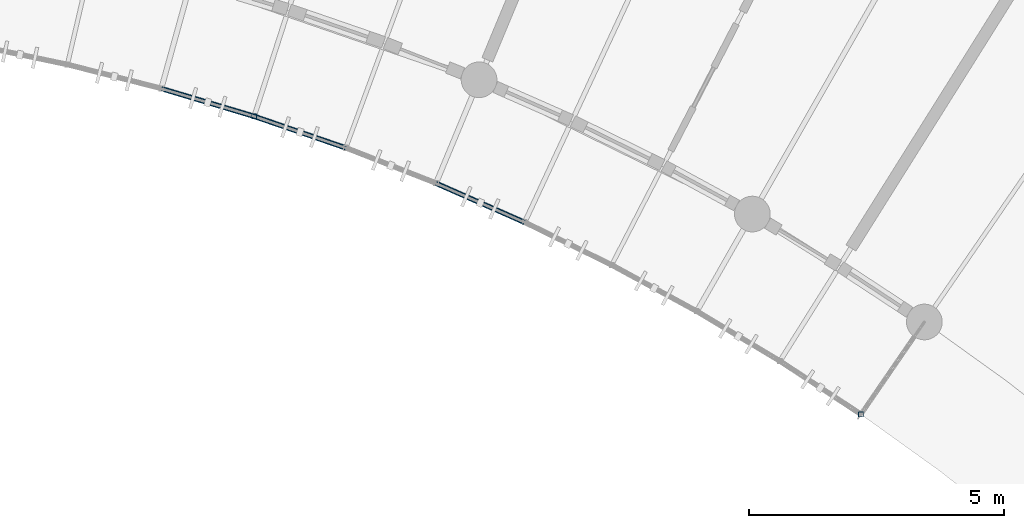
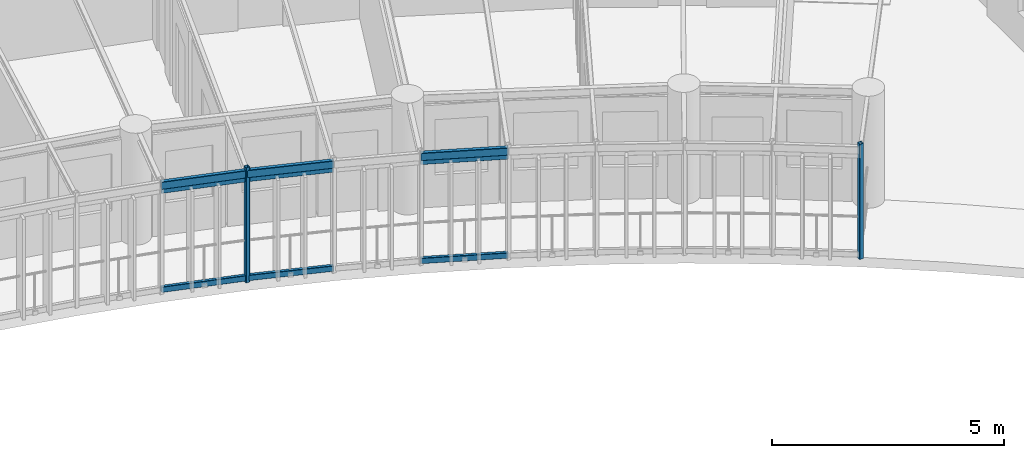
# One storey, part 63 of 137: 8 members, 3 beams.
"""IFC4 building model written with IfcOpenShell, lengths in metres."""

from ifc_helpers import new_model, si_unit, direction, frame, origin, origin_2d, place, context, subcontext, project, spatial, hollow_rectangle, extrude, material, material_profile, profile_set, type_object, element, save


model = new_model("IFC4")

# Units and contexts
model_context = context("Model", 3, precision=1e-05, world=origin(), true_north=direction((0.0, 1.0)))
body_context = subcontext(model_context, "Body", "Model", "MODEL_VIEW")
ifc_project = project(units=[si_unit("LENGTHUNIT", "METRE"), si_unit("AREAUNIT", "SQUARE_METRE"), si_unit("VOLUMEUNIT", "CUBIC_METRE"), si_unit("PLANEANGLEUNIT", "RADIAN"), si_unit("MASSUNIT", "GRAM", prefix="KILO"), si_unit("POWERUNIT", "WATT"), si_unit("THERMODYNAMICTEMPERATUREUNIT", "KELVIN")], contexts=[model_context])

# Site, building, storey
site_placement = place(None, origin())
site = spatial("IfcSite", under=ifc_project, at=site_placement, CompositionType="ELEMENT")
building_placement = place(site_placement, origin())
building = spatial("IfcBuilding", under=site, at=building_placement, Name="Ruvembo Vaulted Housing Court", CompositionType="ELEMENT")
storey_placement = place(building_placement, frame((0.0, 0.0, 4.5)))
storey = spatial("IfcBuildingStorey", under=building, at=storey_placement, Name="L01", CompositionType="ELEMENT", Elevation=4.5)

# Beams
ifc_material = material(Name="Steel S355J2", Category="steel")
ifc_material_profile_1 = material_profile(ifc_material, hollow_rectangle(XDim=0.10009765625, YDim=0.199951171875, WallThickness=0.008056640625, InnerFilletRadius=0.008056640625, OuterFilletRadius=0.01611328125, at=origin_2d()), Name="RHS 200x100x8")
ifc_profile_set_1 = profile_set([ifc_material_profile_1], Name="Steel S355J2")
beam_type = type_object("IfcBeamType", Name="BM-ST-RHS200", PredefinedType="SPANDREL", material=ifc_profile_set_1)
beam_1_placement = place(storey_placement, frame((129.208251953125, 94.142822265625, 2.840087890625), z_axis=(0.958108609181, -0.286405120439, 0.0), x_axis=(0.286405120439, 0.958108609181, 0.0)))
element("IfcBeam", 1, at=beam_1_placement, inside=storey, type_object=beam_type, Name="Scoop SC3 L01 Balcony Edge Spandrel 21", PredefinedType="SPANDREL", context=body_context, shape_type="SweptSolid", body=[
    extrude(hollow_rectangle(XDim=0.10009765625, YDim=0.199951171875, WallThickness=0.008056640625, InnerFilletRadius=0.008056640625, OuterFilletRadius=0.01611328125, at=origin_2d()), origin(), (0.0, 0.0, 1.0), 1.90087890625),
])
beam_2_placement = place(storey_placement, frame((131.029541015625, 93.598388671875, 2.840087890625), z_axis=(0.945357969834, -0.326034214264, 0.0), x_axis=(0.326034214264, 0.945357969834, 0.0)))
element("IfcBeam", 2, at=beam_2_placement, inside=storey, type_object=beam_type, Name="Scoop SC3 L01 Balcony Edge Spandrel 22", PredefinedType="SPANDREL", context=body_context, shape_type="SweptSolid", body=[
    extrude(hollow_rectangle(XDim=0.10009765625, YDim=0.199951171875, WallThickness=0.008056640625, InnerFilletRadius=0.008056640625, OuterFilletRadius=0.01611328125, at=origin_2d()), origin(), (0.0, 0.0, 1.0), 1.9013671875),
])
beam_3_placement = place(storey_placement, frame((134.5966796875, 92.28466796875, 2.840087890625), z_axis=(0.91507815309, -0.403276547467, 0.0), x_axis=(0.403276547467, 0.91507815309, 0.0)))
element("IfcBeam", 3, at=beam_3_placement, inside=storey, type_object=beam_type, Name="Scoop SC3 L01 Balcony Edge Spandrel 24", PredefinedType="SPANDREL", context=body_context, shape_type="SweptSolid", body=[
    extrude(hollow_rectangle(XDim=0.10009765625, YDim=0.199951171875, WallThickness=0.008056640625, InnerFilletRadius=0.008056640625, OuterFilletRadius=0.01611328125, at=origin_2d()), origin(), (0.0, 0.0, 1.0), 1.90087890625),
])

# Members
ifc_material_profile_2 = material_profile(ifc_material, hollow_rectangle(XDim=0.06005859375, YDim=0.1201171875, WallThickness=0.0048828125, InnerFilletRadius=0.0048828125, OuterFilletRadius=0.010009765625, at=origin_2d()), Name="RHS 120x60x5")
ifc_profile_set_2 = profile_set([ifc_material_profile_2], Name="Steel S355J2")
member_type_1 = type_object("IfcMemberType", Name="MEM-CAR-RHS120", PredefinedType="CHORD", material=ifc_profile_set_2)
member_1_placement = place(storey_placement, frame((129.208251953125, 94.142822265625, 2.68310546875), z_axis=(0.958108609181, -0.286405120439, 0.0), x_axis=(0.286405120439, 0.958108609181, 0.0)))
element("IfcMember", 4, at=member_1_placement, inside=storey, type_object=member_type_1, Name="Scoop SC3 L01 Upper Louvre Carrier Rail 21", PredefinedType="CHORD", context=body_context, shape_type="SweptSolid", body=[
    extrude(hollow_rectangle(XDim=0.06005859375, YDim=0.1201171875, WallThickness=0.0048828125, InnerFilletRadius=0.0048828125, OuterFilletRadius=0.010009765625, at=origin_2d()), origin(), (0.0, 0.0, 1.0), 1.90087890625),
])
member_2_placement = place(storey_placement, frame((131.029541015625, 93.598388671875, 2.68310546875), z_axis=(0.945357969834, -0.326034214264, 0.0), x_axis=(0.326034214264, 0.945357969834, 0.0)))
element("IfcMember", 5, at=member_2_placement, inside=storey, type_object=member_type_1, Name="Scoop SC3 L01 Upper Louvre Carrier Rail 22", PredefinedType="CHORD", context=body_context, shape_type="SweptSolid", body=[
    extrude(hollow_rectangle(XDim=0.06005859375, YDim=0.1201171875, WallThickness=0.0048828125, InnerFilletRadius=0.0048828125, OuterFilletRadius=0.010009765625, at=origin_2d()), origin(), (0.0, 0.0, 1.0), 1.9013671875),
])
member_3_placement = place(storey_placement, frame((134.5966796875, 92.28466796875, 2.68310546875), z_axis=(0.91507815309, -0.403276547467, 0.0), x_axis=(0.403276547467, 0.91507815309, 0.0)))
element("IfcMember", 6, at=member_3_placement, inside=storey, type_object=member_type_1, Name="Scoop SC3 L01 Upper Louvre Carrier Rail 24", PredefinedType="CHORD", context=body_context, shape_type="SweptSolid", body=[
    extrude(hollow_rectangle(XDim=0.06005859375, YDim=0.1201171875, WallThickness=0.0048828125, InnerFilletRadius=0.0048828125, OuterFilletRadius=0.010009765625, at=origin_2d()), origin(), (0.0, 0.0, 1.0), 1.90087890625),
])
ifc_material_profile_3 = material_profile(ifc_material, hollow_rectangle(XDim=0.080078125, YDim=0.14990234375, WallThickness=0.00634765625, InnerFilletRadius=0.00634765625, OuterFilletRadius=0.0126953125, at=origin_2d()), Name="RHS 150x80x6.3")
ifc_profile_set_3 = profile_set([ifc_material_profile_3], Name="Steel S355J2")
member_type_2 = type_object("IfcMemberType", Name="MEM-CAR-RHS150", PredefinedType="CHORD", material=ifc_profile_set_3)
member_4_placement = place(storey_placement, frame((129.208251953125, 94.142822265625, 0.094970703125), z_axis=(0.958108609181, -0.286405120439, 0.0), x_axis=(0.286405120439, 0.958108609181, 0.0)))
element("IfcMember", 7, at=member_4_placement, inside=storey, type_object=member_type_2, Name="Scoop SC3 L01 Lower Louvre Carrier Rail 21", PredefinedType="CHORD", context=body_context, shape_type="SweptSolid", body=[
    extrude(hollow_rectangle(XDim=0.080078125, YDim=0.14990234375, WallThickness=0.00634765625, InnerFilletRadius=0.00634765625, OuterFilletRadius=0.0126953125, at=origin_2d()), origin(), (0.0, 0.0, 1.0), 1.90087890625),
])
member_5_placement = place(storey_placement, frame((131.029541015625, 93.598388671875, 0.094970703125), z_axis=(0.945357969834, -0.326034214264, 0.0), x_axis=(0.326034214264, 0.945357969834, 0.0)))
element("IfcMember", 8, at=member_5_placement, inside=storey, type_object=member_type_2, Name="Scoop SC3 L01 Lower Louvre Carrier Rail 22", PredefinedType="CHORD", context=body_context, shape_type="SweptSolid", body=[
    extrude(hollow_rectangle(XDim=0.080078125, YDim=0.14990234375, WallThickness=0.00634765625, InnerFilletRadius=0.00634765625, OuterFilletRadius=0.0126953125, at=origin_2d()), origin(), (0.0, 0.0, 1.0), 1.9013671875),
])
member_6_placement = place(storey_placement, frame((134.5966796875, 92.28466796875, 0.094970703125), z_axis=(0.91507815309, -0.403276547467, 0.0), x_axis=(0.403276547467, 0.91507815309, 0.0)))
element("IfcMember", 9, at=member_6_placement, inside=storey, type_object=member_type_2, Name="Scoop SC3 L01 Lower Louvre Carrier Rail 24", PredefinedType="CHORD", context=body_context, shape_type="SweptSolid", body=[
    extrude(hollow_rectangle(XDim=0.080078125, YDim=0.14990234375, WallThickness=0.00634765625, InnerFilletRadius=0.00634765625, OuterFilletRadius=0.0126953125, at=origin_2d()), origin(), (0.0, 0.0, 1.0), 1.90087890625),
])
ifc_material_profile_4 = material_profile(ifc_material, hollow_rectangle(XDim=0.10009765625, YDim=0.10009765625, WallThickness=0.00634765625, InnerFilletRadius=0.00634765625, OuterFilletRadius=0.0126953125, at=origin_2d()), Name="SHS 100x100x6.3")
ifc_profile_set_4 = profile_set([ifc_material_profile_4], Name="Steel S355J2")
member_type_3 = type_object("IfcMemberType", Name="MEM-FRM-SHS100", PredefinedType="STRUT", material=ifc_profile_set_4)
for number, where, z_axis, x_axis, name in (
    (10, (131.029541015625, 93.598388671875, -0.014892578125), (0.0, 0.0, 1.0), (1.0, 0.0, 0.0), "Scoop SC3 L01 Louvre Frame Post 22"),
    (11, (142.9326171875, 87.751220703125, -0.014892578125), (0.0, 0.0, 1.0), (1.0, 0.0, 0.0), "Scoop SC3 L01 Louvre End Post"),
):
    element("IfcMember", number, at=place(storey_placement, frame(where, z_axis=z_axis, x_axis=x_axis)), inside=storey, type_object=member_type_3, Name=name, PredefinedType="STRUT", context=body_context, shape_type="SweptSolid", body=[
        extrude(hollow_rectangle(XDim=0.10009765625, YDim=0.10009765625, WallThickness=0.00634765625, InnerFilletRadius=0.00634765625, OuterFilletRadius=0.0126953125, at=origin_2d()), origin(), (0.0, 0.0, 1.0), 3.032958984375),
    ])

save(model, "model.ifc")
